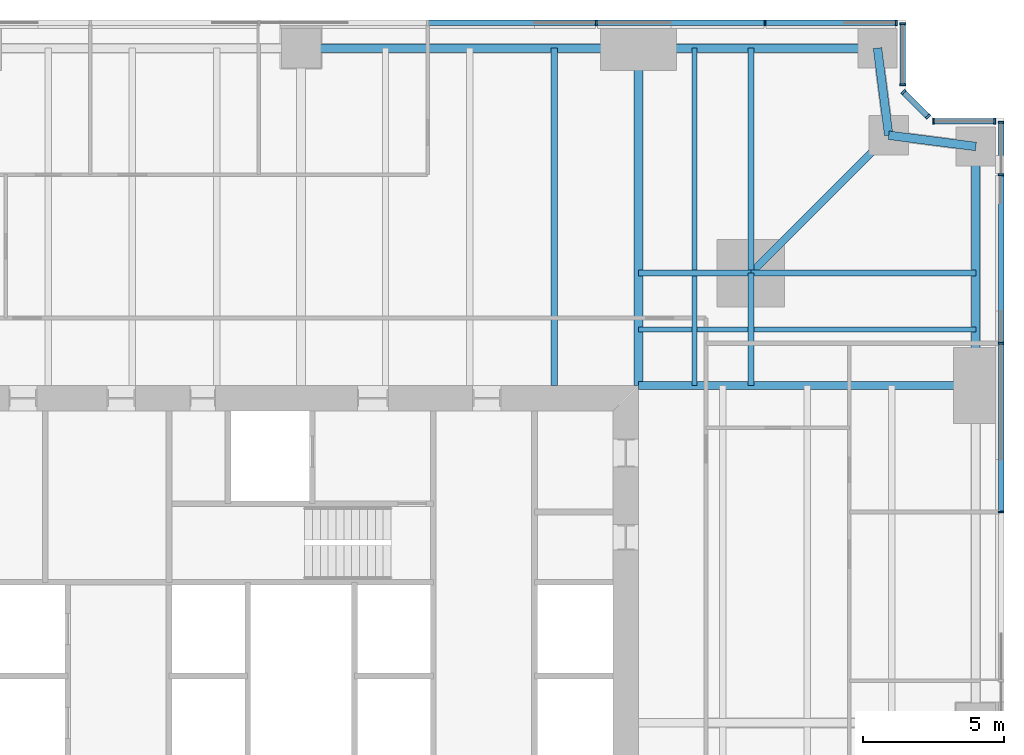
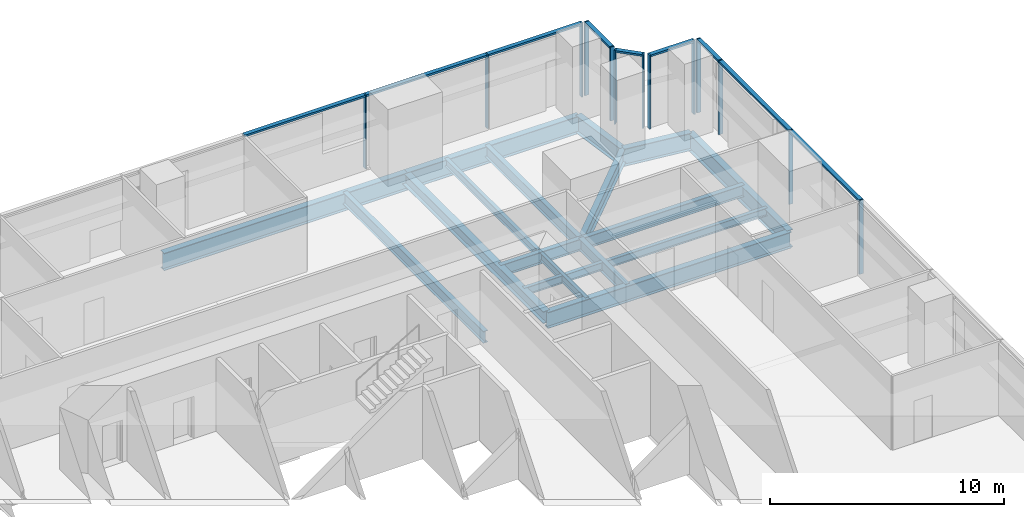
# One storey, part 7 of 14: 22 members, 18 beams, 5 elements without a shape of their own.
"""IFC4 building model written with IfcOpenShell, lengths in metres."""

import ifcopenshell
import ifcopenshell.guid

model = None  # the IFC model being written
_history = None  # IfcOwnerHistory: only IFC2X3 demands one
_inside = {}  # id of a spatial element -> (the spatial element, [elements in it])
_under = {}  # id of a project, library or spatial element -> (it, [spatial elements below it])
_declared = {}  # id of a project -> (the project, [libraries it declares])
_typed = {}  # id of a type object -> (the type object, [elements of that type])
_made_of = {}  # id of a material, layer set ... -> (it, [elements and type objects made of it])


def new_model(schema):
    """Start an empty IFC model of exactly this schema.

    Asked for "IFC4X3", IfcOpenShell would pick the latest addendum, in which some entities
    have other attributes; the version numbers below select the first issue.
    IFC2X3 requires an IfcOwnerHistory on every rooted entity: one is made here for all.
    """
    global model, _history
    if schema == "IFC4X3":
        model = ifcopenshell.file(schema_version=(4, 3, 0, 0))
    else:
        model = ifcopenshell.file(schema=schema)
    _inside.clear()
    _under.clear()
    _declared.clear()
    _typed.clear()
    _made_of.clear()
    _history = None
    if model.schema == "IFC2X3":
        org = make("IfcOrganization", Name="unknown")
        user = make(
            "IfcPersonAndOrganization",
            ThePerson=make("IfcPerson", FamilyName="unknown"),
            TheOrganization=org,
        )
        app = make(
            "IfcApplication",
            ApplicationDeveloper=org,
            Version="unknown",
            ApplicationFullName="unknown",
            ApplicationIdentifier="unknown",
        )
        _history = make(
            "IfcOwnerHistory",
            OwningUser=user,
            OwningApplication=app,
            ChangeAction="ADDED",
            CreationDate=0,
        )
    return model


def make(cls, **values):
    """One entity of the class cls with the attributes given. An attribute that is None is left unset."""
    return model.create_entity(
        cls, **{name: value for name, value in values.items() if value is not None}
    )


def rooted(cls, **values):
    """An entity with a GlobalId (a new one), such as an element, a storey or a relation."""
    return make(cls, GlobalId=ifcopenshell.guid.new(), OwnerHistory=_history, **values)


def si_unit(unit_type, name, prefix=None):
    """IfcSIUnit, for example si_unit("LENGTHUNIT", "METRE", prefix="MILLI")."""
    return make("IfcSIUnit", UnitType=unit_type, Prefix=prefix, Name=name)


def assignment(units):
    """IfcUnitAssignment: the units of a project."""
    return None if units is None else make("IfcUnitAssignment", Units=units)


def point(xyz):
    """IfcCartesianPoint."""
    return None if xyz is None else make("IfcCartesianPoint", Coordinates=xyz)


def direction(xyz):
    """IfcDirection."""
    return None if xyz is None else make("IfcDirection", DirectionRatios=xyz)


def frame(location, z_axis=None, x_axis=None):
    """IfcAxis2Placement3D, a coordinate frame: its origin and axes. An axis left out is left unset."""
    return make(
        "IfcAxis2Placement3D",
        Location=point(location),
        Axis=direction(z_axis),
        RefDirection=direction(x_axis),
    )


def frame_2d(location, x_axis=None):
    """IfcAxis2Placement2D, a coordinate frame in the plane: its origin and x axis."""
    return make(
        "IfcAxis2Placement2D", Location=point(location), RefDirection=direction(x_axis)
    )


def origin():
    """The frame at (0, 0, 0) with its axes left unset."""
    return frame((0.0, 0.0, 0.0))


def origin_2d():
    """The frame at (0, 0) in the plane with its x axis left unset."""
    return frame_2d((0.0, 0.0))


def place(relative_to, where):
    """IfcLocalPlacement: puts the frame where relative to a parent placement (None: the world)."""
    return make(
        "IfcLocalPlacement", PlacementRelTo=relative_to, RelativePlacement=where
    )


def context(
    kind, dimensions, precision=None, world=None, true_north=None, identifier=None
):
    """IfcGeometricRepresentationContext, for example the 3D "Model" context."""
    return make(
        "IfcGeometricRepresentationContext",
        ContextIdentifier=identifier,
        ContextType=kind,
        CoordinateSpaceDimension=dimensions,
        Precision=precision,
        WorldCoordinateSystem=world,
        TrueNorth=true_north,
    )


def subcontext(parent, identifier, kind, view, scale=None):
    """IfcGeometricRepresentationSubContext, for example "Body" below "Model"."""
    return make(
        "IfcGeometricRepresentationSubContext",
        ContextIdentifier=identifier,
        ContextType=kind,
        ParentContext=parent,
        TargetScale=scale,
        TargetView=view,
    )


def project(units=None, contexts=None):
    """IfcProject with its units and contexts."""
    return rooted(
        "IfcProject",
        Name="project",
        RepresentationContexts=contexts,
        UnitsInContext=assignment(units),
    )


def spatial(cls, under=None, at=None, **own):
    """A site, building, storey or space (cls), placed at a placement, below another one or the project."""
    s = rooted(cls, ObjectPlacement=at, **own)
    if under is not None:
        _under.setdefault(under.id(), (under, []))[1].append(s)
    return s


def profile(cls, at=None, kind="AREA", **sizes):
    """A parametric profile (cls). Its sizes go by their IFC names, for example OverallWidth=200.0."""
    return make(cls, ProfileType=kind, Position=at, **sizes)


def rectangle(**sizes):
    """IfcRectangleProfileDef."""
    return profile("IfcRectangleProfileDef", **sizes)


def i_section(**sizes):
    """IfcIShapeProfileDef."""
    return profile("IfcIShapeProfileDef", **sizes)


def extrude(swept, where, along, depth):
    """IfcExtrudedAreaSolid: the profile swept, set in the frame where, extruded along a direction by depth."""
    return make(
        "IfcExtrudedAreaSolid",
        SweptArea=swept,
        Position=where,
        ExtrudedDirection=direction(along),
        Depth=depth,
    )


def shape(context_of_items, identifier, shape_type, items):
    """IfcShapeRepresentation: the items that make up one representation, for example the "Body"."""
    return make(
        "IfcShapeRepresentation",
        ContextOfItems=context_of_items,
        RepresentationIdentifier=identifier,
        RepresentationType=shape_type,
        Items=items,
    )


def material(Name=None, Category=None):
    """IfcMaterial."""
    return make("IfcMaterial", Name=Name, Category=Category)


def material_profile(
    of_material, cross_section, Name=None, Category=None, Priority=None
):
    """IfcMaterialProfile: a cross section and its material."""
    return make(
        "IfcMaterialProfile",
        Name=Name,
        Material=of_material,
        Profile=cross_section,
        Priority=Priority,
        Category=Category,
    )


def profile_set(profiles, Name=None, composite=None):
    """IfcMaterialProfileSet."""
    return make(
        "IfcMaterialProfileSet",
        Name=Name,
        MaterialProfiles=profiles,
        CompositeProfile=composite,
    )


def made_of(thing, what):
    """Note that an element or type object is made of a material, layer set ...; save() writes the relation."""
    if what is not None:
        _made_of.setdefault(what.id(), (what, []))[1].append(thing)
    return thing


def type_object(cls, material=None, **own):
    """A type object (cls), such as IfcWallType, which elements share."""
    return made_of(rooted(cls, **own), material)


def element(
    cls,
    number,
    at=None,
    inside=None,
    cuts=None,
    type_object=None,
    material=None,
    context=None,
    identifier="Body",
    shape_type=None,
    held_by="IfcProductDefinitionShape",
    body=None,
    shapes=None,
    **own,
):
    """One element of the class cls, such as IfcWall. Its Tag is "e" and its number.

    at: its placement. inside: the storey or other place that contains it. cuts: it is an
    opening in that element (IfcRelVoidsElement). A single representation is given by context,
    identifier, shape_type and body (its items); several are given by shapes. held_by: the class
    of the entity that holds the representations. save() writes the other relations.
    """
    e = rooted(cls, Tag="e%d" % number, ObjectPlacement=at, **own)
    if body is not None:
        shapes = [shape(context, identifier, shape_type, body)]
    if shapes is not None:
        e.Representation = make(held_by, Representations=shapes)
    if inside is not None:
        _inside.setdefault(inside.id(), (inside, []))[1].append(e)
    if cuts is not None:
        rooted(
            "IfcRelVoidsElement", RelatingBuildingElement=cuts, RelatedOpeningElement=e
        )
    if type_object is not None:
        _typed.setdefault(type_object.id(), (type_object, []))[1].append(e)
    return made_of(e, material)


def aggregate(whole, parts):
    """IfcRelAggregates: a whole, such as a stair, and the parts it consists of."""
    return rooted("IfcRelAggregates", RelatingObject=whole, RelatedObjects=parts)


def save(model, path):
    """Write the relations noted so far, then the file.

    IfcRelAggregates (storeys below a building ...), IfcRelContainedInSpatialStructure (elements
    in a storey), IfcRelDefinesByType, IfcRelAssociatesMaterial and IfcRelDeclares: one each for
    every whole, place, type object, material and project.
    """
    for whole, parts in _under.values():
        aggregate(whole, parts)
    for where, things in _inside.values():
        rooted(
            "IfcRelContainedInSpatialStructure",
            RelatedElements=things,
            RelatingStructure=where,
        )
    for kind, things in _typed.values():
        rooted("IfcRelDefinesByType", RelatedObjects=things, RelatingType=kind)
    for what, things in _made_of.values():
        rooted("IfcRelAssociatesMaterial", RelatedObjects=things, RelatingMaterial=what)
    for by, libraries in _declared.values():
        rooted("IfcRelDeclares", RelatingContext=by, RelatedDefinitions=libraries)
    model.write(path)


model = new_model("IFC4")

# Units and contexts
model_context = context("Model", 3, precision=1e-05, world=origin(), true_north=direction((0.0, 1.0)))
body_context = subcontext(model_context, "Body", "Model", "MODEL_VIEW")
ifc_project = project(units=[si_unit("LENGTHUNIT", "METRE"), si_unit("AREAUNIT", "SQUARE_METRE"), si_unit("VOLUMEUNIT", "CUBIC_METRE"), si_unit("PLANEANGLEUNIT", "RADIAN"), si_unit("MASSUNIT", "GRAM", prefix="KILO")], contexts=[model_context])

# Site, building, storey
site_placement = place(None, origin())
site = spatial("IfcSite", under=ifc_project, at=site_placement, CompositionType="ELEMENT")
building_placement = place(site_placement, origin())
building = spatial("IfcBuilding", under=site, at=building_placement, Name="Fenwick Lantern Interchange", CompositionType="ELEMENT")
storey_placement = place(building_placement, frame((0.0, 0.0, 83.0)))
storey = spatial("IfcBuildingStorey", under=building, at=storey_placement, Name="L19", CompositionType="ELEMENT", Elevation=83.0)

# Beams
ifc_material_1 = material(Name="Steel ASTM A992 Grade 50", Category="steel")
ifc_material_profile_1 = material_profile(ifc_material_1, i_section(OverallWidth=0.3046875, OverallDepth=0.911865234375, WebThickness=0.015869140625, FlangeThickness=0.02392578125, at=origin_2d()), Name="W36X150")
ifc_profile_set_1 = profile_set([ifc_material_profile_1], Name="Steel ASTM A992 Grade 50")
beam_type_1 = type_object("IfcBeamType", Name="EDGE BEAM W36X150", PredefinedType="SPANDREL", material=ifc_profile_set_1)
beam_1_placement = place(storey_placement, frame((49.0, 37.0, -0.60595703125), z_axis=(0.0, 1.0, 0.0), x_axis=(-1.0, 0.0, 0.0)))
element("IfcBeam", 1, at=beam_1_placement, inside=storey, type_object=beam_type_1, Name="L19/FR/E/EB4", PredefinedType="SPANDREL", context=body_context, shape_type="SweptSolid", body=[
    extrude(i_section(OverallWidth=0.3046875, OverallDepth=0.911865234375, WebThickness=0.015869140625, FlangeThickness=0.02392578125, at=origin_2d()), origin(), (0.0, 0.0, 1.0), 8.5),
])
for number, where, z_axis, x_axis, name in (
    (2, (49.0, 45.5, -0.60595703125), (-0.991782342897, 0.127936641807, 0.0), (-0.127936641807, -0.991782342897, 0.0), "L19/FR/E/EBR1"),
    (3, (45.89990234375, 45.89990234375, -0.60595703125), (-0.127936641807, 0.991782342897, 0.0), (-0.991782342897, -0.127936641807, 0.0), "L19/FR/E/EBR2"),
):
    element("IfcBeam", number, at=place(storey_placement, frame(where, z_axis=z_axis, x_axis=x_axis)), inside=storey, type_object=beam_type_1, Name=name, PredefinedType="SPANDREL", context=body_context, shape_type="SweptSolid", body=[
        extrude(i_section(OverallWidth=0.3046875, OverallDepth=0.911865234375, WebThickness=0.015869140625, FlangeThickness=0.02392578125, at=origin_2d()), origin(), (0.0, 0.0, 1.0), 3.125732421875),
    ])
beam_2_placement = place(storey_placement, frame((45.5, 49.0, -0.60595703125), z_axis=(-1.0, 0.0, 0.0), x_axis=(0.0, -1.0, 0.0)))
element("IfcBeam", 4, at=beam_2_placement, inside=storey, type_object=beam_type_1, Name="L19/FR/N/EB1", PredefinedType="SPANDREL", context=body_context, shape_type="SweptSolid", body=[
    extrude(i_section(OverallWidth=0.3046875, OverallDepth=0.911865234375, WebThickness=0.015869140625, FlangeThickness=0.02392578125, at=origin_2d()), origin(), (0.0, 0.0, 1.0), 8.5),
])
beam_3_placement = place(storey_placement, frame((37.0, 49.0, -0.60595703125), z_axis=(-1.0, 0.0, 0.0), x_axis=(0.0, -1.0, 0.0)))
element("IfcBeam", 5, at=beam_3_placement, inside=storey, type_object=beam_type_1, Name="L19/FR/N/EB2", PredefinedType="SPANDREL", context=body_context, shape_type="SweptSolid", body=[
    extrude(i_section(OverallWidth=0.3046875, OverallDepth=0.911865234375, WebThickness=0.015869140625, FlangeThickness=0.02392578125, at=origin_2d()), origin(), (0.0, 0.0, 1.0), 12.0),
])
ifc_material_profile_2 = material_profile(ifc_material_1, i_section(OverallWidth=0.22900390625, OverallDepth=0.612060546875, WebThickness=0.011962890625, FlangeThickness=0.01953125, at=origin_2d()), Name="W24X84")
ifc_profile_set_2 = profile_set([ifc_material_profile_2], Name="Steel ASTM A992 Grade 50")
beam_type_2 = type_object("IfcBeamType", Name="FLOOR BEAM W24X84", PredefinedType="BEAM", material=ifc_profile_set_2)
beam_4_placement = place(storey_placement, frame((34.0, 49.0, -0.4560546875), z_axis=(0.0, -1.0, 0.0), x_axis=(1.0, 0.0, 0.0)))
element("IfcBeam", 6, at=beam_4_placement, inside=storey, type_object=beam_type_2, Name="L19/FR/N/R02", PredefinedType="BEAM", context=body_context, shape_type="SweptSolid", body=[
    extrude(i_section(OverallWidth=0.22900390625, OverallDepth=0.612060546875, WebThickness=0.011962890625, FlangeThickness=0.01953125, at=origin_2d()), origin(), (0.0, 0.0, 1.0), 12.0),
])
ifc_material_profile_3 = material_profile(ifc_material_1, i_section(OverallWidth=0.177734375, OverallDepth=0.406494140625, WebThickness=0.0078125, FlangeThickness=0.012939453125, at=origin_2d()), Name="W16X40")
ifc_profile_set_3 = profile_set([ifc_material_profile_3], Name="Steel ASTM A992 Grade 50")
beam_type_3 = type_object("IfcBeamType", Name="INFILL BEAM W16X40", PredefinedType="JOIST", material=ifc_profile_set_3)
beam_5_placement = place(storey_placement, frame((39.0, 49.0, -0.353271484375), z_axis=(0.0, -1.0, 0.0), x_axis=(1.0, 0.0, 0.0)))
element("IfcBeam", 7, at=beam_5_placement, inside=storey, type_object=beam_type_3, Name="L19/FR/N/J1", PredefinedType="JOIST", context=body_context, shape_type="SweptSolid", body=[
    extrude(i_section(OverallWidth=0.177734375, OverallDepth=0.406494140625, WebThickness=0.0078125, FlangeThickness=0.012939453125, at=origin_2d()), origin(), (0.0, 0.0, 1.0), 7.885498046875),
])
beam_6_placement = place(storey_placement, frame((39.0, 40.885498046875, -0.353271484375), z_axis=(0.0, -1.0, 0.0), x_axis=(1.0, 0.0, 0.0)))
element("IfcBeam", 8, at=beam_6_placement, inside=storey, type_object=beam_type_3, Name="L19/FR/N/J2", PredefinedType="JOIST", context=body_context, shape_type="SweptSolid", body=[
    extrude(i_section(OverallWidth=0.177734375, OverallDepth=0.406494140625, WebThickness=0.0078125, FlangeThickness=0.012939453125, at=origin_2d()), origin(), (0.0, 0.0, 1.0), 3.885498046875),
])
beam_7_placement = place(storey_placement, frame((49.0, 39.0, -0.353271484375), z_axis=(-1.0, 0.0, 0.0), x_axis=(0.0, -1.0, 0.0)))
element("IfcBeam", 9, at=beam_7_placement, inside=storey, type_object=beam_type_3, Name="L19/FR/N/J3", PredefinedType="JOIST", context=body_context, shape_type="SweptSolid", body=[
    extrude(i_section(OverallWidth=0.177734375, OverallDepth=0.406494140625, WebThickness=0.0078125, FlangeThickness=0.012939453125, at=origin_2d()), origin(), (0.0, 0.0, 1.0), 7.885498046875),
])
beam_8_placement = place(storey_placement, frame((40.885498046875, 39.0, -0.353271484375), z_axis=(-1.0, 0.0, 0.0), x_axis=(0.0, -1.0, 0.0)))
element("IfcBeam", 10, at=beam_8_placement, inside=storey, type_object=beam_type_3, Name="L19/FR/N/J4", PredefinedType="JOIST", context=body_context, shape_type="SweptSolid", body=[
    extrude(i_section(OverallWidth=0.177734375, OverallDepth=0.406494140625, WebThickness=0.0078125, FlangeThickness=0.012939453125, at=origin_2d()), origin(), (0.0, 0.0, 1.0), 1.796630859375),
])
beam_9_placement = place(storey_placement, frame((38.9111328125, 39.0, -0.353271484375), z_axis=(-1.0, 0.0, 0.0), x_axis=(0.0, -1.0, 0.0)))
element("IfcBeam", 11, at=beam_9_placement, inside=storey, type_object=beam_type_3, Name="L19/FR/N/J5", PredefinedType="JOIST", context=body_context, shape_type="SweptSolid", body=[
    extrude(i_section(OverallWidth=0.177734375, OverallDepth=0.406494140625, WebThickness=0.0078125, FlangeThickness=0.012939453125, at=origin_2d()), origin(), (0.0, 0.0, 1.0), 1.9111328125),
])
ifc_material_profile_4 = material_profile(ifc_material_1, i_section(OverallWidth=0.22900390625, OverallDepth=0.612060546875, WebThickness=0.011962890625, FlangeThickness=0.01953125, at=origin_2d()), Name="W24X84")
ifc_profile_set_4 = profile_set([ifc_material_profile_4], Name="Steel ASTM A992 Grade 50")
beam_type_4 = type_object("IfcBeamType", Name="MEGA COLUMN BEAM W24X84", PredefinedType="BEAM", material=ifc_profile_set_4)
for number, where, z_axis, x_axis, name in (
    (12, (41.0, 41.0, -0.4560546875), (0.0, 1.0, 0.0), (-1.0, 0.0, 0.0), "L19/FR/N/MB1"),
    (13, (41.0, 41.0, -0.4560546875), (1.0, 0.0, 0.0), (0.0, 1.0, 0.0), "L19/FR/N/MB2"),
):
    element("IfcBeam", number, at=place(storey_placement, frame(where, z_axis=z_axis, x_axis=x_axis)), inside=storey, type_object=beam_type_4, Name=name, PredefinedType="BEAM", context=body_context, shape_type="SweptSolid", body=[
        extrude(i_section(OverallWidth=0.22900390625, OverallDepth=0.612060546875, WebThickness=0.011962890625, FlangeThickness=0.01953125, at=origin_2d()), origin(), (0.0, 0.0, 1.0), 8.0),
    ])
for number, where, z_axis, x_axis, name in (
    (14, (41.0, 41.0, -0.4560546875), (-1.0, 0.0, 0.0), (0.0, -1.0, 0.0), "L19/FR/N/MB3"),
    (15, (41.0, 41.0, -0.4560546875), (0.0, -1.0, 0.0), (1.0, 0.0, 0.0), "L19/FR/N/MB4"),
):
    element("IfcBeam", number, at=place(storey_placement, frame(where, z_axis=z_axis, x_axis=x_axis)), inside=storey, type_object=beam_type_4, Name=name, PredefinedType="BEAM", context=body_context, shape_type="SweptSolid", body=[
        extrude(i_section(OverallWidth=0.22900390625, OverallDepth=0.612060546875, WebThickness=0.011962890625, FlangeThickness=0.01953125, at=origin_2d()), origin(), (0.0, 0.0, 1.0), 4.0),
    ])
ifc_material_profile_5 = material_profile(ifc_material_1, i_section(OverallWidth=0.32763671875, OverallDepth=0.622314453125, WebThickness=0.015380859375, FlangeThickness=0.0244140625, at=origin_2d()), Name="W24X131")
ifc_profile_set_5 = profile_set([ifc_material_profile_5], Name="Steel ASTM A992 Grade 50")
beam_type_5 = type_object("IfcBeamType", Name="MOMENT-CONNECTED GIRDER W24X131", PredefinedType="BEAM", material=ifc_profile_set_5)
beam_10_placement = place(storey_placement, frame((37.0, 49.0, -0.461181640625), z_axis=(0.0, -1.0, 0.0), x_axis=(1.0, 0.0, 0.0)))
element("IfcBeam", 16, at=beam_10_placement, inside=storey, type_object=beam_type_5, Name="L19/FR/N/R01", PredefinedType="BEAM", context=body_context, shape_type="SweptSolid", body=[
    extrude(i_section(OverallWidth=0.32763671875, OverallDepth=0.622314453125, WebThickness=0.015380859375, FlangeThickness=0.0244140625, at=origin_2d()), origin(), (0.0, 0.0, 1.0), 12.0),
])
ifc_material_profile_6 = material_profile(ifc_material_1, i_section(OverallWidth=0.2919921875, OverallDepth=0.845703125, WebThickness=0.015380859375, FlangeThickness=0.0244140625, at=origin_2d()), Name="W33X141")
ifc_profile_set_6 = profile_set([ifc_material_profile_6], Name="Steel ASTM A992 Grade 50")
beam_type_6 = type_object("IfcBeamType", Name="MOMENT-CONNECTED GIRDER W33X141", PredefinedType="BEAM", material=ifc_profile_set_6)
beam_11_placement = place(storey_placement, frame((49.0, 37.0, -0.572998046875), z_axis=(-1.0, 0.0, 0.0), x_axis=(0.0, -1.0, 0.0)))
element("IfcBeam", 17, at=beam_11_placement, inside=storey, type_object=beam_type_6, Name="L19/FR/E/R03", PredefinedType="BEAM", context=body_context, shape_type="SweptSolid", body=[
    extrude(i_section(OverallWidth=0.2919921875, OverallDepth=0.845703125, WebThickness=0.015380859375, FlangeThickness=0.0244140625, at=origin_2d()), origin(), (0.0, 0.0, 1.0), 12.0),
])
ifc_material_profile_7 = material_profile(ifc_material_1, i_section(OverallWidth=0.2666015625, OverallDepth=0.7568359375, WebThickness=0.013916015625, FlangeThickness=0.019287109375, at=origin_2d()), Name="W30X108")
ifc_profile_set_7 = profile_set([ifc_material_profile_7], Name="Steel ASTM A992 Grade 50")
beam_type_7 = type_object("IfcBeamType", Name="NOTCH BEAM W30X108", PredefinedType="BEAM", material=ifc_profile_set_7)
beam_12_placement = place(storey_placement, frame((41.0, 41.0, -0.528564453125), z_axis=(0.707106781187, 0.707106781187, 0.0), x_axis=(-0.707106781187, 0.707106781187, 0.0)))
element("IfcBeam", 18, at=beam_12_placement, inside=storey, type_object=beam_type_7, Name="L19/FR/N/TG", PredefinedType="BEAM", context=body_context, shape_type="SweptSolid", body=[
    extrude(i_section(OverallWidth=0.2666015625, OverallDepth=0.7568359375, WebThickness=0.013916015625, FlangeThickness=0.019287109375, at=origin_2d()), origin(), (0.0, 0.0, 1.0), 6.929443359375),
])

# Curtain wall, members
ifc_material_2 = material(Name="Aluminium curtain wall frame", Category="aluminium")
curtain_wall_type = type_object("IfcCurtainWallType", Name="OFFICE CURTAIN WALL", PredefinedType="USERDEFINED", material=ifc_material_2)
curtain_wall_1_placement = place(storey_placement, origin())
curtain_wall_1 = element("IfcCurtainWall", 19, at=curtain_wall_1_placement, inside=storey, type_object=curtain_wall_type, Name="Office curtain wall 05", ObjectType="OFFICE CURTAIN WALL", PredefinedType="USERDEFINED")
ifc_material_3 = material(Name="Aluminium extrusion", Category="aluminium")
ifc_material_profile_8 = material_profile(ifc_material_3, rectangle(XDim=0.199951171875, YDim=0.06494140625, at=origin_2d()), Name="OFFICE CURTAIN WALL MULLION 65 X 200")
ifc_profile_set_8 = profile_set([ifc_material_profile_8], Name="Aluminium extrusion")
member_type_1 = type_object("IfcMemberType", Name="OFFICE CURTAIN WALL MULLION 65 X 200", PredefinedType="MULLION", material=ifc_profile_set_8)
member_1_placement = place(storey_placement, frame((49.89990234375, 32.5, 0.0), z_axis=(0.0, 0.0, 1.0), x_axis=(-1.0, 0.0, 0.0)))
member_1 = element("IfcMember", 20, at=member_1_placement, type_object=member_type_1, Name="L19/CW/05/M05", PredefinedType="MULLION", context=body_context, shape_type="SweptSolid", body=[
    extrude(rectangle(XDim=0.199951171875, YDim=0.06494140625, at=origin_2d()), origin(), (0.0, 0.0, 1.0), 3.85009765625),
])
member_2_placement = place(storey_placement, frame((49.89990234375, 38.5, 0.0), z_axis=(0.0, 0.0, 1.0), x_axis=(-1.0, 0.0, 0.0)))
member_2 = element("IfcMember", 21, at=member_2_placement, type_object=member_type_1, Name="L19/CW/05/M06", PredefinedType="MULLION", context=body_context, shape_type="SweptSolid", body=[
    extrude(rectangle(XDim=0.199951171875, YDim=0.06494140625, at=origin_2d()), origin(), (0.0, 0.0, 1.0), 3.85009765625),
])
member_3_placement = place(storey_placement, frame((49.89990234375, 44.5, 0.0), z_axis=(0.0, 0.0, 1.0), x_axis=(-1.0, 0.0, 0.0)))
member_3 = element("IfcMember", 22, at=member_3_placement, type_object=member_type_1, Name="L19/CW/05/M07", PredefinedType="MULLION", context=body_context, shape_type="SweptSolid", body=[
    extrude(rectangle(XDim=0.199951171875, YDim=0.06494140625, at=origin_2d()), origin(), (0.0, 0.0, 1.0), 3.85009765625),
])
member_4_placement = place(storey_placement, frame((49.89990234375, 46.367431640625, 0.0), z_axis=(0.0, 0.0, 1.0), x_axis=(-1.0, 0.0, 0.0)))
member_4 = element("IfcMember", 23, at=member_4_placement, type_object=member_type_1, Name="L19/CW/05/M08", PredefinedType="MULLION", context=body_context, shape_type="SweptSolid", body=[
    extrude(rectangle(XDim=0.199951171875, YDim=0.06494140625, at=origin_2d()), origin(), (0.0, 0.0, 1.0), 3.85009765625),
])

curtain_wall_2_placement = place(storey_placement, origin())
curtain_wall_2 = element("IfcCurtainWall", 24, at=curtain_wall_2_placement, inside=storey, type_object=curtain_wall_type, Name="Office curtain wall 06", ObjectType="OFFICE CURTAIN WALL", PredefinedType="USERDEFINED")
member_5_placement = place(storey_placement, frame((49.66748046875, 46.39990234375, 0.0), z_axis=(0.0, 0.0, 1.0), x_axis=(0.0, -1.0, 0.0)))
member_5 = element("IfcMember", 25, at=member_5_placement, type_object=member_type_1, Name="L19/CW/06/M00", PredefinedType="MULLION", context=body_context, shape_type="SweptSolid", body=[
    extrude(rectangle(XDim=0.199951171875, YDim=0.06494140625, at=origin_2d()), origin(), (0.0, 0.0, 1.0), 3.85009765625),
])
member_6_placement = place(storey_placement, frame((47.490966796875, 46.39990234375, 0.0), z_axis=(0.0, 0.0, 1.0), x_axis=(0.0, -1.0, 0.0)))
member_6 = element("IfcMember", 26, at=member_6_placement, type_object=member_type_1, Name="L19/CW/06/M01", PredefinedType="MULLION", context=body_context, shape_type="SweptSolid", body=[
    extrude(rectangle(XDim=0.199951171875, YDim=0.06494140625, at=origin_2d()), origin(), (0.0, 0.0, 1.0), 3.85009765625),
])

curtain_wall_3_placement = place(storey_placement, origin())
curtain_wall_3 = element("IfcCurtainWall", 27, at=curtain_wall_3_placement, inside=storey, type_object=curtain_wall_type, Name="Office curtain wall 07", ObjectType="OFFICE CURTAIN WALL", PredefinedType="USERDEFINED")
member_7_placement = place(storey_placement, frame((47.294189453125, 46.564453125, 0.0), z_axis=(0.0, 0.0, 1.0), x_axis=(-0.707106781187, -0.707106781187, 0.0)))
member_7 = element("IfcMember", 28, at=member_7_placement, type_object=member_type_1, Name="L19/CW/07/M00", PredefinedType="MULLION", context=body_context, shape_type="SweptSolid", body=[
    extrude(rectangle(XDim=0.199951171875, YDim=0.06494140625, at=origin_2d()), origin(), (0.0, 0.0, 1.0), 3.85009765625),
])
member_8_placement = place(storey_placement, frame((46.423095703125, 47.435546875, 0.0), z_axis=(0.0, 0.0, 1.0), x_axis=(-0.707106781187, -0.707106781187, 0.0)))
member_8 = element("IfcMember", 29, at=member_8_placement, type_object=member_type_1, Name="L19/CW/07/M01", PredefinedType="MULLION", context=body_context, shape_type="SweptSolid", body=[
    extrude(rectangle(XDim=0.199951171875, YDim=0.06494140625, at=origin_2d()), origin(), (0.0, 0.0, 1.0), 3.85009765625),
])

curtain_wall_4_placement = place(storey_placement, origin())
curtain_wall_4 = element("IfcCurtainWall", 30, at=curtain_wall_4_placement, inside=storey, type_object=curtain_wall_type, Name="Office curtain wall 08", ObjectType="OFFICE CURTAIN WALL", PredefinedType="USERDEFINED")
member_9_placement = place(storey_placement, frame((46.39990234375, 47.691162109375, 0.0), z_axis=(0.0, 0.0, 1.0), x_axis=(-1.0, 0.0, 0.0)))
member_9 = element("IfcMember", 31, at=member_9_placement, type_object=member_type_1, Name="L19/CW/08/M00", PredefinedType="MULLION", context=body_context, shape_type="SweptSolid", body=[
    extrude(rectangle(XDim=0.199951171875, YDim=0.06494140625, at=origin_2d()), origin(), (0.0, 0.0, 1.0), 3.85009765625),
])
member_10_placement = place(storey_placement, frame((46.39990234375, 49.867431640625, 0.0), z_axis=(0.0, 0.0, 1.0), x_axis=(-1.0, 0.0, 0.0)))
member_10 = element("IfcMember", 32, at=member_10_placement, type_object=member_type_1, Name="L19/CW/08/M01", PredefinedType="MULLION", context=body_context, shape_type="SweptSolid", body=[
    extrude(rectangle(XDim=0.199951171875, YDim=0.06494140625, at=origin_2d()), origin(), (0.0, 0.0, 1.0), 3.85009765625),
])

curtain_wall_5_placement = place(storey_placement, origin())
curtain_wall_5 = element("IfcCurtainWall", 33, at=curtain_wall_5_placement, inside=storey, type_object=curtain_wall_type, Name="Office curtain wall 09", ObjectType="OFFICE CURTAIN WALL", PredefinedType="USERDEFINED")
member_11_placement = place(storey_placement, frame((46.16748046875, 49.89990234375, 0.0), z_axis=(0.0, 0.0, 1.0), x_axis=(0.0, -1.0, 0.0)))
member_11 = element("IfcMember", 34, at=member_11_placement, type_object=member_type_1, Name="L19/CW/09/M00", PredefinedType="MULLION", context=body_context, shape_type="SweptSolid", body=[
    extrude(rectangle(XDim=0.199951171875, YDim=0.06494140625, at=origin_2d()), origin(), (0.0, 0.0, 1.0), 3.85009765625),
])
member_12_placement = place(storey_placement, frame((41.5, 49.89990234375, 0.0), z_axis=(0.0, 0.0, 1.0), x_axis=(0.0, -1.0, 0.0)))
member_12 = element("IfcMember", 35, at=member_12_placement, type_object=member_type_1, Name="L19/CW/09/M01", PredefinedType="MULLION", context=body_context, shape_type="SweptSolid", body=[
    extrude(rectangle(XDim=0.199951171875, YDim=0.06494140625, at=origin_2d()), origin(), (0.0, 0.0, 1.0), 3.85009765625),
])
member_13_placement = place(storey_placement, frame((35.5, 49.89990234375, 0.0), z_axis=(0.0, 0.0, 1.0), x_axis=(0.0, -1.0, 0.0)))
member_13 = element("IfcMember", 36, at=member_13_placement, type_object=member_type_1, Name="L19/CW/09/M02", PredefinedType="MULLION", context=body_context, shape_type="SweptSolid", body=[
    extrude(rectangle(XDim=0.199951171875, YDim=0.06494140625, at=origin_2d()), origin(), (0.0, 0.0, 1.0), 3.85009765625),
])

# Member
ifc_material_profile_9 = material_profile(ifc_material_3, rectangle(XDim=0.199951171875, YDim=0.10009765625, at=origin_2d()), Name="OFFICE CURTAIN WALL TRANSOM 100 X 200")
ifc_profile_set_9 = profile_set([ifc_material_profile_9], Name="Aluminium extrusion")
member_type_2 = type_object("IfcMemberType", Name="OFFICE CURTAIN WALL TRANSOM 100 X 200", PredefinedType="MULLION", material=ifc_profile_set_9)
member_14_placement = place(storey_placement, frame((49.89990234375, 32.532470703125, 3.800048828125), z_axis=(0.0, 1.0, 0.0), x_axis=(-1.0, 0.0, 0.0)))
member_14 = element("IfcMember", 37, at=member_14_placement, type_object=member_type_2, Name="L19/CW/05/T05", PredefinedType="MULLION", context=body_context, shape_type="SweptSolid", body=[
    extrude(rectangle(XDim=0.199951171875, YDim=0.10009765625, at=origin_2d()), origin(), (0.0, 0.0, 1.0), 5.93505859375),
])

member_15_placement = place(storey_placement, frame((49.89990234375, 38.532470703125, 3.800048828125), z_axis=(0.0, 1.0, 0.0), x_axis=(-1.0, 0.0, 0.0)))
member_15 = element("IfcMember", 38, at=member_15_placement, type_object=member_type_2, Name="L19/CW/05/T06", PredefinedType="MULLION", context=body_context, shape_type="SweptSolid", body=[
    extrude(rectangle(XDim=0.199951171875, YDim=0.10009765625, at=origin_2d()), origin(), (0.0, 0.0, 1.0), 5.93505859375),
])

member_16_placement = place(storey_placement, frame((49.89990234375, 44.532470703125, 3.800048828125), z_axis=(0.0, 1.0, 0.0), x_axis=(-1.0, 0.0, 0.0)))
member_16 = element("IfcMember", 39, at=member_16_placement, type_object=member_type_2, Name="L19/CW/05/T07", PredefinedType="MULLION", context=body_context, shape_type="SweptSolid", body=[
    extrude(rectangle(XDim=0.199951171875, YDim=0.10009765625, at=origin_2d()), origin(), (0.0, 0.0, 1.0), 1.802490234375),
])

aggregate(curtain_wall_1, [member_1, member_2, member_3, member_4, member_14, member_15, member_16])

member_17_placement = place(storey_placement, frame((49.635009765625, 46.39990234375, 3.800048828125), z_axis=(-1.0, 0.0, 0.0), x_axis=(0.0, -1.0, 0.0)))
member_17 = element("IfcMember", 40, at=member_17_placement, type_object=member_type_2, Name="L19/CW/06/T00", PredefinedType="MULLION", context=body_context, shape_type="SweptSolid", body=[
    extrude(rectangle(XDim=0.199951171875, YDim=0.10009765625, at=origin_2d()), origin(), (0.0, 0.0, 1.0), 2.111328125),
])

aggregate(curtain_wall_2, [member_5, member_6, member_17])

member_18_placement = place(storey_placement, frame((47.271240234375, 46.58740234375, 3.800048828125), z_axis=(-0.707106781187, 0.707106781187, 0.0), x_axis=(-0.707106781187, -0.707106781187, 0.0)))
member_18 = element("IfcMember", 41, at=member_18_placement, type_object=member_type_2, Name="L19/CW/07/T00", PredefinedType="MULLION", context=body_context, shape_type="SweptSolid", body=[
    extrude(rectangle(XDim=0.199951171875, YDim=0.10009765625, at=origin_2d()), origin(), (0.0, 0.0, 1.0), 1.1669921875),
])

aggregate(curtain_wall_3, [member_7, member_8, member_18])

member_19_placement = place(storey_placement, frame((46.39990234375, 47.7236328125, 3.800048828125), z_axis=(0.0, 1.0, 0.0), x_axis=(-1.0, 0.0, 0.0)))
member_19 = element("IfcMember", 42, at=member_19_placement, type_object=member_type_2, Name="L19/CW/08/T00", PredefinedType="MULLION", context=body_context, shape_type="SweptSolid", body=[
    extrude(rectangle(XDim=0.199951171875, YDim=0.10009765625, at=origin_2d()), origin(), (0.0, 0.0, 1.0), 2.111328125),
])

aggregate(curtain_wall_4, [member_9, member_10, member_19])

member_20_placement = place(storey_placement, frame((46.135009765625, 49.89990234375, 3.800048828125), z_axis=(-1.0, 0.0, 0.0), x_axis=(0.0, -1.0, 0.0)))
member_20 = element("IfcMember", 43, at=member_20_placement, type_object=member_type_2, Name="L19/CW/09/T00", PredefinedType="MULLION", context=body_context, shape_type="SweptSolid", body=[
    extrude(rectangle(XDim=0.199951171875, YDim=0.10009765625, at=origin_2d()), origin(), (0.0, 0.0, 1.0), 4.6025390625),
])

member_21_placement = place(storey_placement, frame((41.467529296875, 49.89990234375, 3.800048828125), z_axis=(-1.0, 0.0, 0.0), x_axis=(0.0, -1.0, 0.0)))
member_21 = element("IfcMember", 44, at=member_21_placement, type_object=member_type_2, Name="L19/CW/09/T01", PredefinedType="MULLION", context=body_context, shape_type="SweptSolid", body=[
    extrude(rectangle(XDim=0.199951171875, YDim=0.10009765625, at=origin_2d()), origin(), (0.0, 0.0, 1.0), 5.93505859375),
])

member_22_placement = place(storey_placement, frame((35.467529296875, 49.89990234375, 3.800048828125), z_axis=(-1.0, 0.0, 0.0), x_axis=(0.0, -1.0, 0.0)))
member_22 = element("IfcMember", 45, at=member_22_placement, type_object=member_type_2, Name="L19/CW/09/T02", PredefinedType="MULLION", context=body_context, shape_type="SweptSolid", body=[
    extrude(rectangle(XDim=0.199951171875, YDim=0.10009765625, at=origin_2d()), origin(), (0.0, 0.0, 1.0), 5.93505859375),
])

aggregate(curtain_wall_5, [member_11, member_12, member_13, member_20, member_21, member_22])

save(model, "model.ifc")
